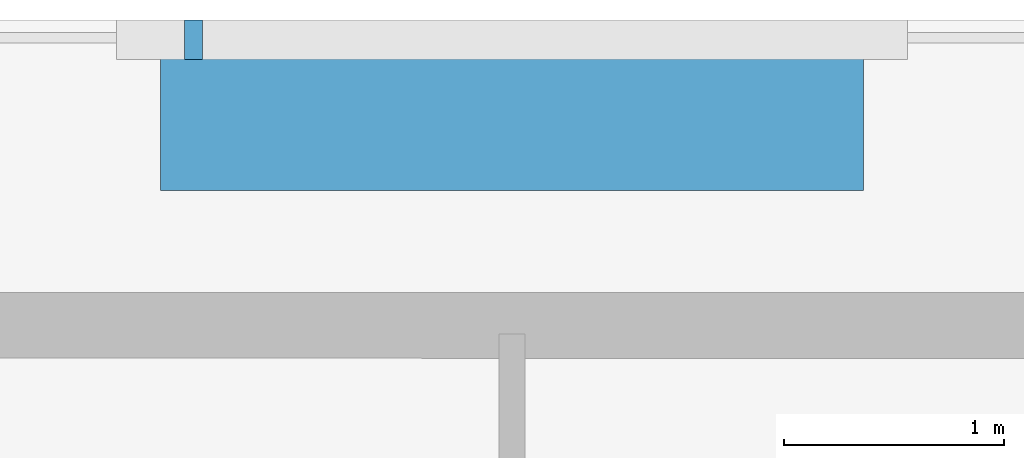
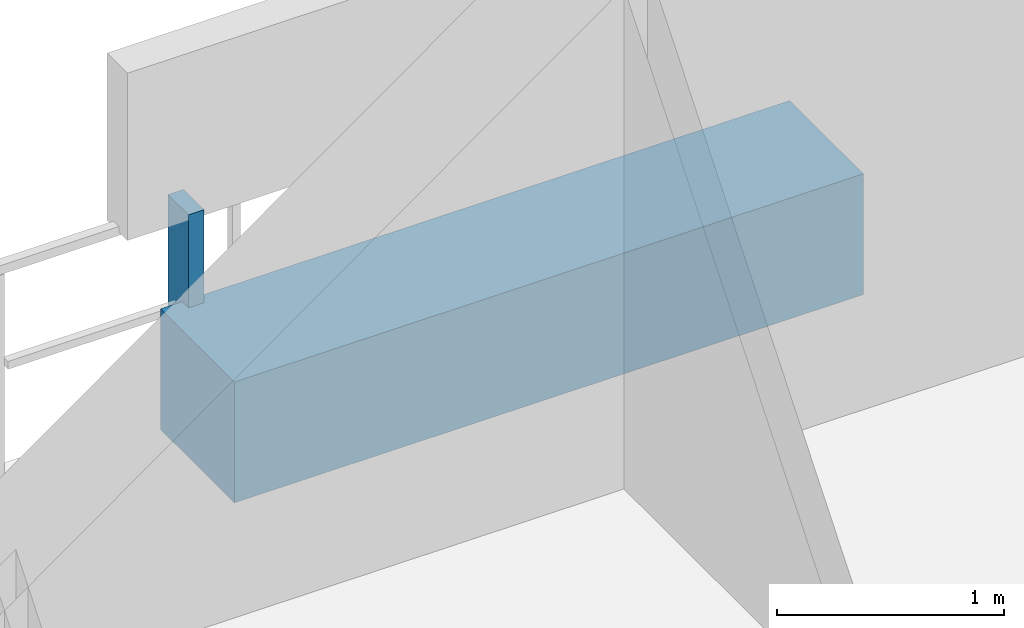
# One storey, part 27 of 31: 2 discrete accessories.
"""IFC4 building model written with IfcOpenShell, lengths in metres."""

import ifcopenshell
import ifcopenshell.guid

model = None  # the IFC model being written
_history = None  # IfcOwnerHistory: only IFC2X3 demands one
_inside = {}  # id of a spatial element -> (the spatial element, [elements in it])
_under = {}  # id of a project, library or spatial element -> (it, [spatial elements below it])
_declared = {}  # id of a project -> (the project, [libraries it declares])
_typed = {}  # id of a type object -> (the type object, [elements of that type])
_made_of = {}  # id of a material, layer set ... -> (it, [elements and type objects made of it])


def new_model(schema):
    """Start an empty IFC model of exactly this schema.

    Asked for "IFC4X3", IfcOpenShell would pick the latest addendum, in which some entities
    have other attributes; the version numbers below select the first issue.
    IFC2X3 requires an IfcOwnerHistory on every rooted entity: one is made here for all.
    """
    global model, _history
    if schema == "IFC4X3":
        model = ifcopenshell.file(schema_version=(4, 3, 0, 0))
    else:
        model = ifcopenshell.file(schema=schema)
    _inside.clear()
    _under.clear()
    _declared.clear()
    _typed.clear()
    _made_of.clear()
    _history = None
    if model.schema == "IFC2X3":
        org = make("IfcOrganization", Name="unknown")
        user = make(
            "IfcPersonAndOrganization",
            ThePerson=make("IfcPerson", FamilyName="unknown"),
            TheOrganization=org,
        )
        app = make(
            "IfcApplication",
            ApplicationDeveloper=org,
            Version="unknown",
            ApplicationFullName="unknown",
            ApplicationIdentifier="unknown",
        )
        _history = make(
            "IfcOwnerHistory",
            OwningUser=user,
            OwningApplication=app,
            ChangeAction="ADDED",
            CreationDate=0,
        )
    return model


def make(cls, **values):
    """One entity of the class cls with the attributes given. An attribute that is None is left unset."""
    return model.create_entity(
        cls, **{name: value for name, value in values.items() if value is not None}
    )


def rooted(cls, **values):
    """An entity with a GlobalId (a new one), such as an element, a storey or a relation."""
    return make(cls, GlobalId=ifcopenshell.guid.new(), OwnerHistory=_history, **values)


def si_unit(unit_type, name, prefix=None):
    """IfcSIUnit, for example si_unit("LENGTHUNIT", "METRE", prefix="MILLI")."""
    return make("IfcSIUnit", UnitType=unit_type, Prefix=prefix, Name=name)


def assignment(units):
    """IfcUnitAssignment: the units of a project."""
    return None if units is None else make("IfcUnitAssignment", Units=units)


def point(xyz):
    """IfcCartesianPoint."""
    return None if xyz is None else make("IfcCartesianPoint", Coordinates=xyz)


def direction(xyz):
    """IfcDirection."""
    return None if xyz is None else make("IfcDirection", DirectionRatios=xyz)


def frame(location, z_axis=None, x_axis=None):
    """IfcAxis2Placement3D, a coordinate frame: its origin and axes. An axis left out is left unset."""
    return make(
        "IfcAxis2Placement3D",
        Location=point(location),
        Axis=direction(z_axis),
        RefDirection=direction(x_axis),
    )


def frame_2d(location, x_axis=None):
    """IfcAxis2Placement2D, a coordinate frame in the plane: its origin and x axis."""
    return make(
        "IfcAxis2Placement2D", Location=point(location), RefDirection=direction(x_axis)
    )


def origin():
    """The frame at (0, 0, 0) with its axes left unset."""
    return frame((0.0, 0.0, 0.0))


def origin_2d():
    """The frame at (0, 0) in the plane with its x axis left unset."""
    return frame_2d((0.0, 0.0))


def place(relative_to, where):
    """IfcLocalPlacement: puts the frame where relative to a parent placement (None: the world)."""
    return make(
        "IfcLocalPlacement", PlacementRelTo=relative_to, RelativePlacement=where
    )


def context(
    kind, dimensions, precision=None, world=None, true_north=None, identifier=None
):
    """IfcGeometricRepresentationContext, for example the 3D "Model" context."""
    return make(
        "IfcGeometricRepresentationContext",
        ContextIdentifier=identifier,
        ContextType=kind,
        CoordinateSpaceDimension=dimensions,
        Precision=precision,
        WorldCoordinateSystem=world,
        TrueNorth=true_north,
    )


def subcontext(parent, identifier, kind, view, scale=None):
    """IfcGeometricRepresentationSubContext, for example "Body" below "Model"."""
    return make(
        "IfcGeometricRepresentationSubContext",
        ContextIdentifier=identifier,
        ContextType=kind,
        ParentContext=parent,
        TargetScale=scale,
        TargetView=view,
    )


def project(units=None, contexts=None):
    """IfcProject with its units and contexts."""
    return rooted(
        "IfcProject",
        Name="project",
        RepresentationContexts=contexts,
        UnitsInContext=assignment(units),
    )


def spatial(cls, under=None, at=None, **own):
    """A site, building, storey or space (cls), placed at a placement, below another one or the project."""
    s = rooted(cls, ObjectPlacement=at, **own)
    if under is not None:
        _under.setdefault(under.id(), (under, []))[1].append(s)
    return s


def profile(cls, at=None, kind="AREA", **sizes):
    """A parametric profile (cls). Its sizes go by their IFC names, for example OverallWidth=200.0."""
    return make(cls, ProfileType=kind, Position=at, **sizes)


def rectangle(**sizes):
    """IfcRectangleProfileDef."""
    return profile("IfcRectangleProfileDef", **sizes)


def extrude(swept, where, along, depth):
    """IfcExtrudedAreaSolid: the profile swept, set in the frame where, extruded along a direction by depth."""
    return make(
        "IfcExtrudedAreaSolid",
        SweptArea=swept,
        Position=where,
        ExtrudedDirection=direction(along),
        Depth=depth,
    )


def shape(context_of_items, identifier, shape_type, items):
    """IfcShapeRepresentation: the items that make up one representation, for example the "Body"."""
    return make(
        "IfcShapeRepresentation",
        ContextOfItems=context_of_items,
        RepresentationIdentifier=identifier,
        RepresentationType=shape_type,
        Items=items,
    )


def material(Name=None, Category=None):
    """IfcMaterial."""
    return make("IfcMaterial", Name=Name, Category=Category)


def made_of(thing, what):
    """Note that an element or type object is made of a material, layer set ...; save() writes the relation."""
    if what is not None:
        _made_of.setdefault(what.id(), (what, []))[1].append(thing)
    return thing


def type_object(cls, material=None, **own):
    """A type object (cls), such as IfcWallType, which elements share."""
    return made_of(rooted(cls, **own), material)


def element(
    cls,
    number,
    at=None,
    inside=None,
    cuts=None,
    type_object=None,
    material=None,
    context=None,
    identifier="Body",
    shape_type=None,
    held_by="IfcProductDefinitionShape",
    body=None,
    shapes=None,
    **own,
):
    """One element of the class cls, such as IfcWall. Its Tag is "e" and its number.

    at: its placement. inside: the storey or other place that contains it. cuts: it is an
    opening in that element (IfcRelVoidsElement). A single representation is given by context,
    identifier, shape_type and body (its items); several are given by shapes. held_by: the class
    of the entity that holds the representations. save() writes the other relations.
    """
    e = rooted(cls, Tag="e%d" % number, ObjectPlacement=at, **own)
    if body is not None:
        shapes = [shape(context, identifier, shape_type, body)]
    if shapes is not None:
        e.Representation = make(held_by, Representations=shapes)
    if inside is not None:
        _inside.setdefault(inside.id(), (inside, []))[1].append(e)
    if cuts is not None:
        rooted(
            "IfcRelVoidsElement", RelatingBuildingElement=cuts, RelatedOpeningElement=e
        )
    if type_object is not None:
        _typed.setdefault(type_object.id(), (type_object, []))[1].append(e)
    return made_of(e, material)


def aggregate(whole, parts):
    """IfcRelAggregates: a whole, such as a stair, and the parts it consists of."""
    return rooted("IfcRelAggregates", RelatingObject=whole, RelatedObjects=parts)


def save(model, path):
    """Write the relations noted so far, then the file.

    IfcRelAggregates (storeys below a building ...), IfcRelContainedInSpatialStructure (elements
    in a storey), IfcRelDefinesByType, IfcRelAssociatesMaterial and IfcRelDeclares: one each for
    every whole, place, type object, material and project.
    """
    for whole, parts in _under.values():
        aggregate(whole, parts)
    for where, things in _inside.values():
        rooted(
            "IfcRelContainedInSpatialStructure",
            RelatedElements=things,
            RelatingStructure=where,
        )
    for kind, things in _typed.values():
        rooted("IfcRelDefinesByType", RelatedObjects=things, RelatingType=kind)
    for what, things in _made_of.values():
        rooted("IfcRelAssociatesMaterial", RelatedObjects=things, RelatingMaterial=what)
    for by, libraries in _declared.values():
        rooted("IfcRelDeclares", RelatingContext=by, RelatedDefinitions=libraries)
    model.write(path)


model = new_model("IFC4")

# Units and contexts
model_context = context("Model", 3, precision=1e-05, world=origin(), true_north=direction((0.0, 1.0)))
body_context = subcontext(model_context, "Body", "Model", "MODEL_VIEW")
ifc_project = project(units=[si_unit("LENGTHUNIT", "METRE"), si_unit("AREAUNIT", "SQUARE_METRE"), si_unit("VOLUMEUNIT", "CUBIC_METRE"), si_unit("PLANEANGLEUNIT", "RADIAN"), si_unit("MASSUNIT", "GRAM", prefix="KILO")], contexts=[model_context])

# Site, building, storey
site_placement = place(None, origin())
site = spatial("IfcSite", under=ifc_project, at=site_placement, CompositionType="ELEMENT")
building_placement = place(site_placement, origin())
building = spatial("IfcBuilding", under=site, at=building_placement, Name="Thornwick Lancets Civic Towers", CompositionType="ELEMENT")
storey_placement = place(building_placement, frame((0.0, 0.0, 90.89990234375)))
storey = spatial("IfcBuildingStorey", under=building, at=storey_placement, Name="L23", CompositionType="ELEMENT", Elevation=90.89990234375)

# Discrete accessories
ifc_material_1 = material(Name="Planted terracotta greenery planter", Category="masonry")
discrete_accessory_type_1 = type_object("IfcDiscreteAccessoryType", Name="ACC_PLANTER_BOX", PredefinedType="USERDEFINED", material=ifc_material_1)
discrete_accessory_1_placement = place(storey_placement, frame((88.5, 51.89990234375, 0.000244140625), z_axis=(0.0, 0.0, 1.0), x_axis=(1.0, 0.0, 0.0)))
element("IfcDiscreteAccessory", 1, at=discrete_accessory_1_placement, inside=storey, type_object=discrete_accessory_type_1, Name="L23 Tower B Balcony Greenery Planter N", ObjectType="PLANTER", PredefinedType="USERDEFINED", context=body_context, shape_type="SweptSolid", body=[
    extrude(rectangle(XDim=3.199951171875, YDim=0.64990234375, at=origin_2d()), origin(), (0.0, 0.0, 1.0), 0.64990234375),
])
ifc_material_2 = material(Name="Stainless steel S355", Category="steel")
discrete_accessory_type_2 = type_object("IfcDiscreteAccessoryType", Name="ACC_SCREEN_BRACKET", PredefinedType="BRACKET", material=ifc_material_2)
discrete_accessory_2_placement = place(storey_placement, frame((87.050048828125, 52.260009765625, 0.000244140625), z_axis=(0.0, 0.0, 1.0), x_axis=(1.0, 0.0, 0.0)))
element("IfcDiscreteAccessory", 2, at=discrete_accessory_2_placement, inside=storey, type_object=discrete_accessory_type_2, Name="L23 Tower B Balcony Screen Stanchion Bracket N-1", PredefinedType="BRACKET", context=body_context, shape_type="SweptSolid", body=[
    extrude(rectangle(XDim=0.080078125, YDim=0.179931640625, at=origin_2d()), origin(), (0.0, 0.0, 1.0), 1.14990234375),
])

save(model, "model.ifc")
